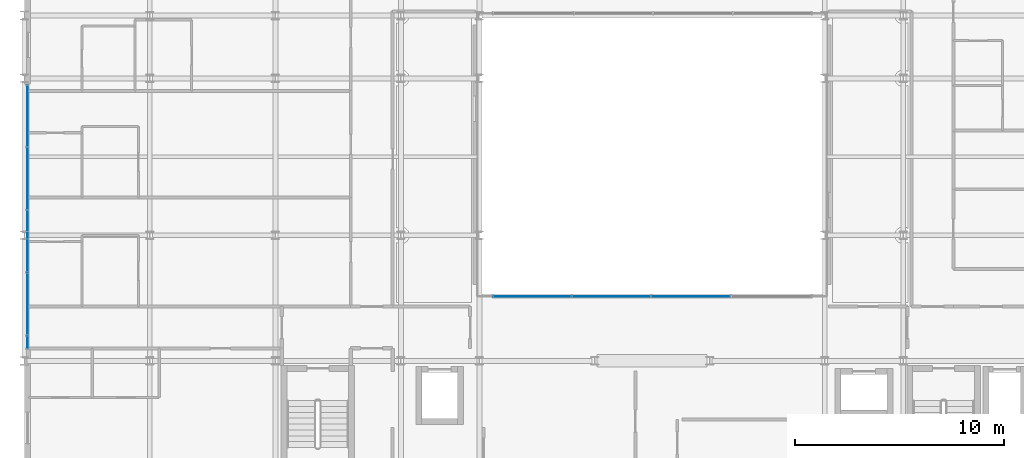
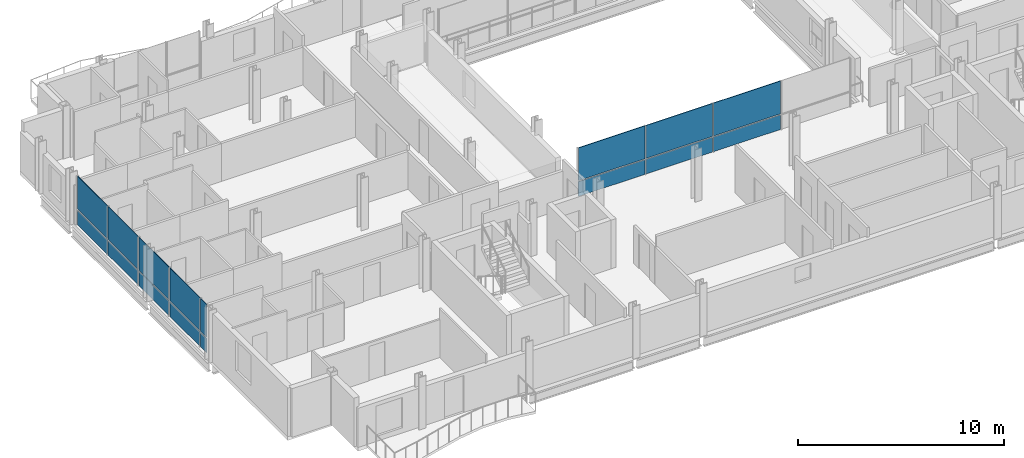
# One storey, part 28 of 41: 16 plates, 2 elements without a shape of their own.
"""IFC4 building model written with IfcOpenShell, lengths in metres."""

from ifc_helpers import new_model, si_unit, direction, frame, origin, origin_2d, place, context, subcontext, project, spatial, rectangle, extrude, material, layer, layer_set, type_object, element, aggregate, save


model = new_model("IFC4")

# Units and contexts
model_context = context("Model", 3, precision=1e-05, world=origin(), true_north=direction((0.0, 1.0)))
body_context = subcontext(model_context, "Body", "Model", "MODEL_VIEW")
ifc_project = project(units=[si_unit("LENGTHUNIT", "METRE"), si_unit("AREAUNIT", "SQUARE_METRE"), si_unit("VOLUMEUNIT", "CUBIC_METRE"), si_unit("PLANEANGLEUNIT", "RADIAN"), si_unit("MASSUNIT", "GRAM", prefix="KILO")], contexts=[model_context])

# Site, building, storey
site_placement = place(None, origin())
site = spatial("IfcSite", under=ifc_project, at=site_placement, CompositionType="ELEMENT")
building_placement = place(site_placement, origin())
building = spatial("IfcBuilding", under=site, at=building_placement, Name="Brevholm Reach", CompositionType="ELEMENT")
storey_placement = place(building_placement, frame((0.0, 0.0, 151.10009765625)))
storey = spatial("IfcBuildingStorey", under=building, at=storey_placement, Name="L45", CompositionType="ELEMENT", Elevation=151.10009765625)

# Curtain wall, plates
ifc_material_1 = material(Name="Dark Anodised Aluminium 6063-T6 and Solar-Control Glass", Category="aluminium")
ifc_layer_1 = layer(ifc_material_1, 0.14990234375)
ifc_layer_set_1 = layer_set([ifc_layer_1], Name="Dark Anodised Aluminium 6063-T6 and Solar-Control Glass")
curtain_wall_type_1 = type_object("IfcCurtainWallType", Name="CW-01", PredefinedType="NOTDEFINED", material=ifc_layer_set_1)
curtain_wall_1_placement = place(storey_placement, origin())
curtain_wall_1 = element("IfcCurtainWall", 1, at=curtain_wall_1_placement, inside=storey, type_object=curtain_wall_type_1, Name="L45 Curtain Wall CW-01", PredefinedType="NOTDEFINED")
ifc_material_2 = material(Name="Dark Solar-Control Double-Glazed IGU Glass", Category="glass")
ifc_layer_2 = layer(ifc_material_2, 0.028076171875)
ifc_layer_set_2 = layer_set([ifc_layer_2], Name="Dark Solar-Control Double-Glazed IGU Glass")
plate_type_1 = type_object("IfcPlateType", Name="CWP-GLZ-28", PredefinedType="CURTAIN_PANEL", material=ifc_layer_set_2)
plate_1_placement = place(storey_placement, frame((0.14990234375, 21.703857421875, 0.0), z_axis=(0.0, 0.0, 1.0), x_axis=(0.0, -1.0, 0.0)))
plate_1 = element("IfcPlate", 2, at=plate_1_placement, type_object=plate_type_1, Name="CP-01 Glazing Panel 1.1", PredefinedType="CURTAIN_PANEL", context=body_context, shape_type="SweptSolid", body=[
    extrude(rectangle(XDim=2.902587890625, YDim=0.028076171875, at=origin_2d()), origin(), (0.0, 0.0, 1.0), 0.867431640625),
])
plate_2_placement = place(storey_placement, frame((0.14990234375, 21.703857421875, 0.9326171875), z_axis=(0.0, 0.0, 1.0), x_axis=(0.0, -1.0, 0.0)))
plate_2 = element("IfcPlate", 3, at=plate_2_placement, type_object=plate_type_1, Name="CP-01 Glazing Panel 1.2", PredefinedType="CURTAIN_PANEL", context=body_context, shape_type="SweptSolid", body=[
    extrude(rectangle(XDim=2.902587890625, YDim=0.028076171875, at=origin_2d()), origin(), (0.0, 0.0, 1.0), 1.947509765625),
])
plate_3_placement = place(storey_placement, frame((0.14990234375, 18.719970703125, 0.0), z_axis=(0.0, 0.0, 1.0), x_axis=(0.0, -1.0, 0.0)))
plate_3 = element("IfcPlate", 4, at=plate_3_placement, type_object=plate_type_1, Name="CP-01 Glazing Panel 2.1", PredefinedType="CURTAIN_PANEL", context=body_context, shape_type="SweptSolid", body=[
    extrude(rectangle(XDim=2.93505859375, YDim=0.028076171875, at=origin_2d()), origin(), (0.0, 0.0, 1.0), 0.867431640625),
])
plate_4_placement = place(storey_placement, frame((0.14990234375, 18.719970703125, 0.9326171875), z_axis=(0.0, 0.0, 1.0), x_axis=(0.0, -1.0, 0.0)))
plate_4 = element("IfcPlate", 5, at=plate_4_placement, type_object=plate_type_1, Name="CP-01 Glazing Panel 2.2", PredefinedType="CURTAIN_PANEL", context=body_context, shape_type="SweptSolid", body=[
    extrude(rectangle(XDim=2.93505859375, YDim=0.028076171875, at=origin_2d()), origin(), (0.0, 0.0, 1.0), 1.947509765625),
])
plate_5_placement = place(storey_placement, frame((0.14990234375, 15.719970703125, 0.0), z_axis=(0.0, 0.0, 1.0), x_axis=(0.0, -1.0, 0.0)))
plate_5 = element("IfcPlate", 6, at=plate_5_placement, type_object=plate_type_1, Name="CP-01 Glazing Panel 3.1", PredefinedType="CURTAIN_PANEL", context=body_context, shape_type="SweptSolid", body=[
    extrude(rectangle(XDim=2.93505859375, YDim=0.028076171875, at=origin_2d()), origin(), (0.0, 0.0, 1.0), 0.867431640625),
])
plate_6_placement = place(storey_placement, frame((0.14990234375, 15.719970703125, 0.9326171875), z_axis=(0.0, 0.0, 1.0), x_axis=(0.0, -1.0, 0.0)))
plate_6 = element("IfcPlate", 7, at=plate_6_placement, type_object=plate_type_1, Name="CP-01 Glazing Panel 3.2", PredefinedType="CURTAIN_PANEL", context=body_context, shape_type="SweptSolid", body=[
    extrude(rectangle(XDim=2.93505859375, YDim=0.028076171875, at=origin_2d()), origin(), (0.0, 0.0, 1.0), 1.947509765625),
])
plate_7_placement = place(storey_placement, frame((0.14990234375, 12.719970703125, 0.0), z_axis=(0.0, 0.0, 1.0), x_axis=(0.0, -1.0, 0.0)))
plate_7 = element("IfcPlate", 8, at=plate_7_placement, type_object=plate_type_1, Name="CP-01 Glazing Panel 4.1", PredefinedType="CURTAIN_PANEL", context=body_context, shape_type="SweptSolid", body=[
    extrude(rectangle(XDim=2.93505859375, YDim=0.028076171875, at=origin_2d()), origin(), (0.0, 0.0, 1.0), 0.867431640625),
])
plate_8_placement = place(storey_placement, frame((0.14990234375, 12.719970703125, 0.9326171875), z_axis=(0.0, 0.0, 1.0), x_axis=(0.0, -1.0, 0.0)))
plate_8 = element("IfcPlate", 9, at=plate_8_placement, type_object=plate_type_1, Name="CP-01 Glazing Panel 4.2", PredefinedType="CURTAIN_PANEL", context=body_context, shape_type="SweptSolid", body=[
    extrude(rectangle(XDim=2.93505859375, YDim=0.028076171875, at=origin_2d()), origin(), (0.0, 0.0, 1.0), 1.947509765625),
])
plate_9_placement = place(storey_placement, frame((0.14990234375, 10.9013671875, 0.0), z_axis=(0.0, 0.0, 1.0), x_axis=(0.0, -1.0, 0.0)))
plate_9 = element("IfcPlate", 10, at=plate_9_placement, type_object=plate_type_1, Name="CP-01 Glazing Panel 5.1", PredefinedType="CURTAIN_PANEL", context=body_context, shape_type="SweptSolid", body=[
    extrude(rectangle(XDim=0.572509765625, YDim=0.028076171875, at=origin_2d()), origin(), (0.0, 0.0, 1.0), 0.867431640625),
])
plate_10_placement = place(storey_placement, frame((0.14990234375, 10.9013671875, 0.9326171875), z_axis=(0.0, 0.0, 1.0), x_axis=(0.0, -1.0, 0.0)))
plate_10 = element("IfcPlate", 11, at=plate_10_placement, type_object=plate_type_1, Name="CP-01 Glazing Panel 5.2", PredefinedType="CURTAIN_PANEL", context=body_context, shape_type="SweptSolid", body=[
    extrude(rectangle(XDim=0.572509765625, YDim=0.028076171875, at=origin_2d()), origin(), (0.0, 0.0, 1.0), 1.947509765625),
])
aggregate(curtain_wall_1, [plate_1, plate_2, plate_3, plate_4, plate_5, plate_6, plate_7, plate_8, plate_9, plate_10])

ifc_material_3 = material(Name="Dark Anodised Aluminium 6063-T6 and Solar-Control Glass", Category="aluminium")
ifc_layer_3 = layer(ifc_material_3, 0.139892578125)
ifc_layer_set_3 = layer_set([ifc_layer_3], Name="Dark Anodised Aluminium 6063-T6 and Solar-Control Glass")
curtain_wall_type_2 = type_object("IfcCurtainWallType", Name="CW-02", PredefinedType="NOTDEFINED", material=ifc_layer_set_3)
curtain_wall_2_placement = place(storey_placement, origin())
curtain_wall_2 = element("IfcCurtainWall", 12, at=curtain_wall_2_placement, inside=storey, type_object=curtain_wall_type_2, Name="L45 Curtain Wall CW-02", PredefinedType="NOTDEFINED")
ifc_material_4 = material(Name="Low-Iron Laminated Acoustic Glass", Category="glass")
ifc_layer_4 = layer(ifc_material_4, 0.035888671875)
ifc_layer_set_4 = layer_set([ifc_layer_4], Name="Low-Iron Laminated Acoustic Glass")
plate_type_2 = type_object("IfcPlateType", Name="CWP-GLZ-36", PredefinedType="CURTAIN_PANEL", material=ifc_layer_set_4)
plate_11_placement = place(storey_placement, frame((24.264892578125, 13.080078125, -0.000244140625), z_axis=(0.0, 0.0, 1.0), x_axis=(1.0, 0.0, 0.0)))
plate_11 = element("IfcPlate", 13, at=plate_11_placement, type_object=plate_type_2, Name="CP-02 Glazing Panel 1.1", PredefinedType="CURTAIN_PANEL", context=body_context, shape_type="SweptSolid", body=[
    extrude(rectangle(XDim=3.7099609375, YDim=0.035888671875, at=origin_2d()), origin(), (0.0, 0.0, 1.0), 0.8701171875),
])
plate_12_placement = place(storey_placement, frame((24.264892578125, 13.080078125, 0.9296875), z_axis=(0.0, 0.0, 1.0), x_axis=(1.0, 0.0, 0.0)))
plate_12 = element("IfcPlate", 14, at=plate_12_placement, type_object=plate_type_2, Name="CP-02 Glazing Panel 1.2", PredefinedType="CURTAIN_PANEL", context=body_context, shape_type="SweptSolid", body=[
    extrude(rectangle(XDim=3.7099609375, YDim=0.035888671875, at=origin_2d()), origin(), (0.0, 0.0, 1.0), 1.949951171875),
])
plate_13_placement = place(storey_placement, frame((28.050048828125, 13.080078125, -0.000244140625), z_axis=(0.0, 0.0, 1.0), x_axis=(1.0, 0.0, 0.0)))
plate_13 = element("IfcPlate", 15, at=plate_13_placement, type_object=plate_type_2, Name="CP-02 Glazing Panel 2.1", PredefinedType="CURTAIN_PANEL", context=body_context, shape_type="SweptSolid", body=[
    extrude(rectangle(XDim=3.739990234375, YDim=0.035888671875, at=origin_2d()), origin(), (0.0, 0.0, 1.0), 0.8701171875),
])
plate_14_placement = place(storey_placement, frame((28.050048828125, 13.080078125, 0.9296875), z_axis=(0.0, 0.0, 1.0), x_axis=(1.0, 0.0, 0.0)))
plate_14 = element("IfcPlate", 16, at=plate_14_placement, type_object=plate_type_2, Name="CP-02 Glazing Panel 2.2", PredefinedType="CURTAIN_PANEL", context=body_context, shape_type="SweptSolid", body=[
    extrude(rectangle(XDim=3.739990234375, YDim=0.035888671875, at=origin_2d()), origin(), (0.0, 0.0, 1.0), 1.949951171875),
])
plate_15_placement = place(storey_placement, frame((31.85009765625, 13.080078125, -0.000244140625), z_axis=(0.0, 0.0, 1.0), x_axis=(1.0, 0.0, 0.0)))
plate_15 = element("IfcPlate", 17, at=plate_15_placement, type_object=plate_type_2, Name="CP-02 Glazing Panel 3.1", PredefinedType="CURTAIN_PANEL", context=body_context, shape_type="SweptSolid", body=[
    extrude(rectangle(XDim=3.739990234375, YDim=0.035888671875, at=origin_2d()), origin(), (0.0, 0.0, 1.0), 0.8701171875),
])
plate_16_placement = place(storey_placement, frame((31.85009765625, 13.080078125, 0.9296875), z_axis=(0.0, 0.0, 1.0), x_axis=(1.0, 0.0, 0.0)))
plate_16 = element("IfcPlate", 18, at=plate_16_placement, type_object=plate_type_2, Name="CP-02 Glazing Panel 3.2", PredefinedType="CURTAIN_PANEL", context=body_context, shape_type="SweptSolid", body=[
    extrude(rectangle(XDim=3.739990234375, YDim=0.035888671875, at=origin_2d()), origin(), (0.0, 0.0, 1.0), 1.949951171875),
])
aggregate(curtain_wall_2, [plate_11, plate_12, plate_13, plate_14, plate_15, plate_16])

save(model, "model.ifc")
